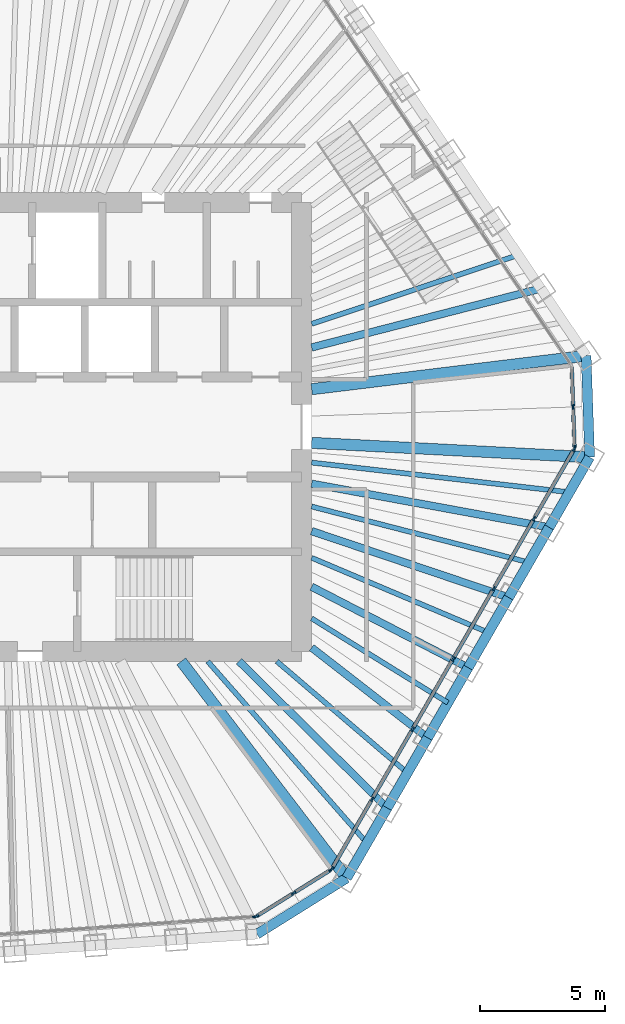
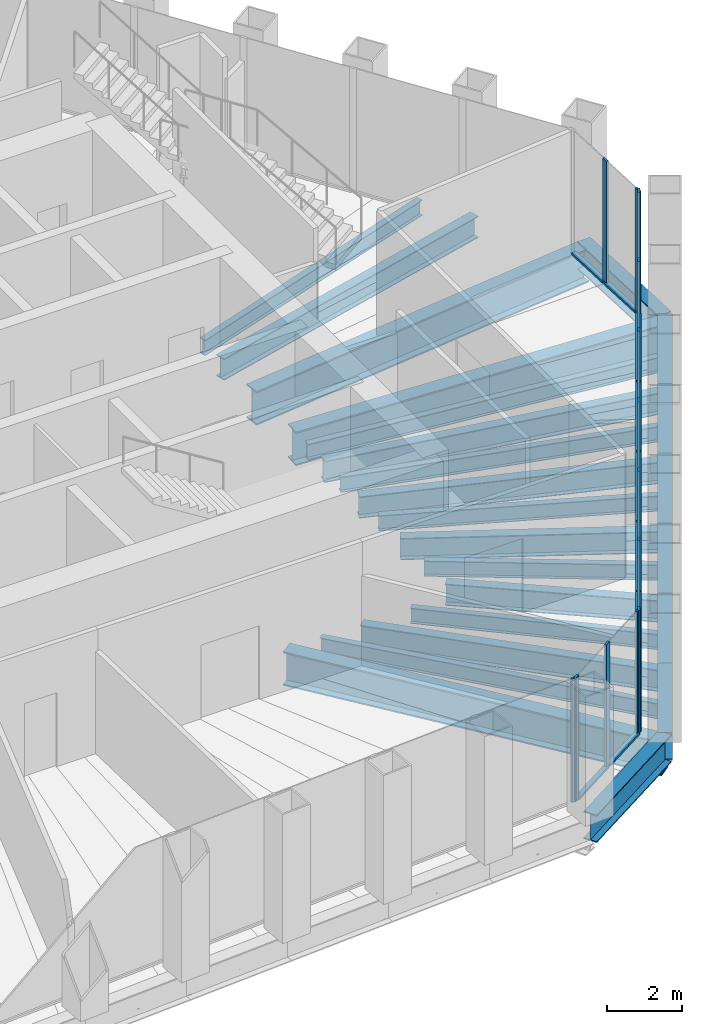
# One storey, part 5 of 14: 24 beams, 23 members, 4 elements without a shape of their own.
"""IFC4 building model written with IfcOpenShell, lengths in metres."""

from ifc_helpers import new_model, si_unit, direction, frame, origin, origin_2d, place, context, subcontext, project, spatial, rectangle, i_section, extrude, material, material_profile, profile_set, type_object, element, aggregate, save


model = new_model("IFC4")

# Units and contexts
model_context = context("Model", 3, precision=1e-05, world=origin(), true_north=direction((0.0, 1.0)))
body_context = subcontext(model_context, "Body", "Model", "MODEL_VIEW")
ifc_project = project(units=[si_unit("LENGTHUNIT", "METRE"), si_unit("AREAUNIT", "SQUARE_METRE"), si_unit("VOLUMEUNIT", "CUBIC_METRE"), si_unit("PLANEANGLEUNIT", "RADIAN"), si_unit("MASSUNIT", "GRAM", prefix="KILO")], contexts=[model_context])

# Site, building, storey
site_placement = place(None, origin())
site = spatial("IfcSite", under=ifc_project, at=site_placement, CompositionType="ELEMENT")
building_placement = place(site_placement, origin())
building = spatial("IfcBuilding", under=site, at=building_placement, Name="Qingtian Harvest Tower", CompositionType="ELEMENT")
storey_placement = place(building_placement, frame((0.0, 0.0, 325.0)))
storey = spatial("IfcBuildingStorey", under=building, at=storey_placement, Name="L72", CompositionType="ELEMENT", Elevation=325.0)

# Beams
ifc_material_1 = material(Name="Steel SM570MC", Category="steel")
ifc_material_profile_1 = material_profile(ifc_material_1, i_section(OverallWidth=0.449951171875, OverallDepth=1.10009765625, WebThickness=0.02197265625, FlangeThickness=0.044921875, at=origin_2d()), Name="H1100x450x22x45")
ifc_profile_set_1 = profile_set([ifc_material_profile_1], Name="Steel SM570MC")
beam_type_1 = type_object("IfcBeamType", Name="Corner floor beam FB8 H1100x450x22x45", PredefinedType="BEAM", material=ifc_profile_set_1)
beam_1_placement = place(storey_placement, frame((23.405517578125, 2.85400390625, -0.719970703125), z_axis=(-0.992647039178, -0.121044849583, 0.0), x_axis=(0.121044849583, -0.992647039178, 0.0)))
element("IfcBeam", 1, at=beam_1_placement, inside=storey, type_object=beam_type_1, Name="Floor beam FB8 NE6", PredefinedType="BEAM", context=body_context, shape_type="SweptSolid", body=[
    extrude(i_section(OverallWidth=0.449951171875, OverallDepth=1.10009765625, WebThickness=0.02197265625, FlangeThickness=0.044921875, at=origin_2d()), origin(), (0.0, 0.0, 1.0), 11.087158203125),
])
beam_2_placement = place(storey_placement, frame((23.547607421875, -1.21435546875, -0.719970703125), z_axis=(-0.998672618964, 0.051507282312, 0.0), x_axis=(-0.051507282312, -0.998672618964, 0.0)))
element("IfcBeam", 2, at=beam_2_placement, inside=storey, type_object=beam_type_1, Name="Floor beam FB8 SE0", PredefinedType="BEAM", context=body_context, shape_type="SweptSolid", body=[
    extrude(i_section(OverallWidth=0.449951171875, OverallDepth=1.10009765625, WebThickness=0.02197265625, FlangeThickness=0.044921875, at=origin_2d()), origin(), (0.0, 0.0, 1.0), 11.16259765625),
])
beam_3_placement = place(storey_placement, frame((13.803466796875, -18.091552734375, -0.719970703125), z_axis=(-0.606571927806, 0.795028613572, 0.0), x_axis=(-0.795028613572, -0.606571927806, 0.0)))
element("IfcBeam", 3, at=beam_3_placement, inside=storey, type_object=beam_type_1, Name="Floor beam FB8 SE6", PredefinedType="BEAM", context=body_context, shape_type="SweptSolid", body=[
    extrude(i_section(OverallWidth=0.449951171875, OverallDepth=1.10009765625, WebThickness=0.02197265625, FlangeThickness=0.044921875, at=origin_2d()), origin(), (0.0, 0.0, 1.0), 10.9326171875),
])
ifc_material_2 = material(Name="Steel SN490B", Category="steel")
ifc_material_profile_2 = material_profile(ifc_material_2, i_section(OverallWidth=0.300048828125, OverallDepth=0.699951171875, WebThickness=0.012939453125, FlangeThickness=0.02392578125, at=origin_2d()), Name="H700x300x13x24")
ifc_profile_set_2 = profile_set([ifc_material_profile_2], Name="Steel SN490B")
beam_type_2 = type_object("IfcBeamType", Name="Floor beam FB4 H700x300x13x24", PredefinedType="BEAM", material=ifc_profile_set_2)
beam_4_placement = place(storey_placement, frame((21.58935546875, 5.546630859375, -0.52001953125), z_axis=(-0.96854787986, -0.248827258189, 0.0), x_axis=(0.248827258189, -0.96854787986, 0.0)))
element("IfcBeam", 4, at=beam_4_placement, inside=storey, type_object=beam_type_2, Name="Floor beam FB4 NE5", PredefinedType="BEAM", context=body_context, shape_type="SweptSolid", body=[
    extrude(i_section(OverallWidth=0.300048828125, OverallDepth=0.699951171875, WebThickness=0.012939453125, FlangeThickness=0.02392578125, at=origin_2d()), origin(), (0.0, 0.0, 1.0), 9.48779296875),
])
beam_5_placement = place(storey_placement, frame((21.923583984375, -4.027099609375, -0.52001953125), z_axis=(-0.983546800525, 0.180653511389, 0.0), x_axis=(-0.180653511389, -0.983546800525, 0.0)))
element("IfcBeam", 5, at=beam_5_placement, inside=storey, type_object=beam_type_2, Name="Floor beam FB4 SE1", PredefinedType="BEAM", context=body_context, shape_type="SweptSolid", body=[
    extrude(i_section(OverallWidth=0.300048828125, OverallDepth=0.699951171875, WebThickness=0.012939453125, FlangeThickness=0.02392578125, at=origin_2d()), origin(), (0.0, 0.0, 1.0), 9.68310546875),
])
beam_6_placement = place(storey_placement, frame((20.299560546875, -6.840087890625, -0.52001953125), z_axis=(-0.947647345861, 0.319318818553, 0.0), x_axis=(-0.319318818553, -0.947647345861, 0.0)))
element("IfcBeam", 6, at=beam_6_placement, inside=storey, type_object=beam_type_2, Name="Floor beam FB4 SE2", PredefinedType="BEAM", context=body_context, shape_type="SweptSolid", body=[
    extrude(i_section(OverallWidth=0.300048828125, OverallDepth=0.699951171875, WebThickness=0.012939453125, FlangeThickness=0.02392578125, at=origin_2d()), origin(), (0.0, 0.0, 1.0), 8.336181640625),
])
beam_7_placement = place(storey_placement, frame((18.675537109375, -9.65283203125, -0.52001953125), z_axis=(-0.888354253651, 0.459158708967, 0.0), x_axis=(-0.459158708967, -0.888354253651, 0.0)))
element("IfcBeam", 7, at=beam_7_placement, inside=storey, type_object=beam_type_2, Name="Floor beam FB4 SE3", PredefinedType="BEAM", context=body_context, shape_type="SweptSolid", body=[
    extrude(i_section(OverallWidth=0.300048828125, OverallDepth=0.699951171875, WebThickness=0.012939453125, FlangeThickness=0.02392578125, at=origin_2d()), origin(), (0.0, 0.0, 1.0), 7.064453125),
])
beam_8_placement = place(storey_placement, frame((17.051513671875, -12.4658203125, -0.52001953125), z_axis=(-0.789532919969, 0.613708211029, 0.0), x_axis=(-0.613708211029, -0.789532919969, 0.0)))
element("IfcBeam", 8, at=beam_8_placement, inside=storey, type_object=beam_type_2, Name="Floor beam FB4 SE4", PredefinedType="BEAM", context=body_context, shape_type="SweptSolid", body=[
    extrude(i_section(OverallWidth=0.300048828125, OverallDepth=0.699951171875, WebThickness=0.012939453125, FlangeThickness=0.02392578125, at=origin_2d()), origin(), (0.0, 0.0, 1.0), 5.8916015625),
])
beam_9_placement = place(storey_placement, frame((15.427490234375, -15.278564453125, -0.52001953125), z_axis=(-0.71051769643, 0.703679332552, 0.0), x_axis=(-0.703679332552, -0.71051769643, 0.0)))
element("IfcBeam", 9, at=beam_9_placement, inside=storey, type_object=beam_type_2, Name="Floor beam FB4 SE5", PredefinedType="BEAM", context=body_context, shape_type="SweptSolid", body=[
    extrude(i_section(OverallWidth=0.300048828125, OverallDepth=0.699951171875, WebThickness=0.012939453125, FlangeThickness=0.02392578125, at=origin_2d()), origin(), (0.0, 0.0, 1.0), 8.354248046875),
])
ifc_material_3 = material(Name="Steel SN490B", Category="steel")
ifc_material_profile_3 = material_profile(ifc_material_3, i_section(OverallWidth=0.199951171875, OverallDepth=0.5, WebThickness=0.010009765625, FlangeThickness=0.01611328125, at=origin_2d()), Name="H500x200x10x16")
ifc_profile_set_3 = profile_set([ifc_material_profile_3], Name="Steel SN490B")
beam_type_3 = type_object("IfcBeamType", Name="Floor joist J3 H500x200x10x16", PredefinedType="JOIST", material=ifc_profile_set_3)
beam_10_placement = place(storey_placement, frame((20.68115234375, 6.89306640625, -0.419921875), z_axis=(-0.948688891587, -0.316210984914, 0.0), x_axis=(0.316210984914, -0.948688891587, 0.0)))
element("IfcBeam", 10, at=beam_10_placement, inside=storey, type_object=beam_type_3, Name="Floor joist J3 NE4", PredefinedType="JOIST", context=body_context, shape_type="SweptSolid", body=[
    extrude(i_section(OverallWidth=0.199951171875, OverallDepth=0.5, WebThickness=0.010009765625, FlangeThickness=0.01611328125, at=origin_2d()), origin(), (0.0, 0.0, 1.0), 8.729248046875),
])
beam_11_placement = place(storey_placement, frame((22.735595703125, -2.62060546875, -0.419921875), z_axis=(-0.993421775836, 0.114512773499, 0.0), x_axis=(-0.114512773499, -0.993421775836, 0.0)))
element("IfcBeam", 11, at=beam_11_placement, inside=storey, type_object=beam_type_3, Name="Floor joist J3 SE0", PredefinedType="JOIST", context=body_context, shape_type="SweptSolid", body=[
    extrude(i_section(OverallWidth=0.199951171875, OverallDepth=0.5, WebThickness=0.010009765625, FlangeThickness=0.01611328125, at=origin_2d()), origin(), (0.0, 0.0, 1.0), 10.404052734375),
])
beam_12_placement = place(storey_placement, frame((21.111572265625, -5.43359375, -0.419921875), z_axis=(-0.968438109541, 0.249254143374, 0.0), x_axis=(-0.249254143374, -0.968438109541, 0.0)))
element("IfcBeam", 12, at=beam_12_placement, inside=storey, type_object=beam_type_3, Name="Floor joist J3 SE1", PredefinedType="JOIST", context=body_context, shape_type="SweptSolid", body=[
    extrude(i_section(OverallWidth=0.199951171875, OverallDepth=0.5, WebThickness=0.010009765625, FlangeThickness=0.01611328125, at=origin_2d()), origin(), (0.0, 0.0, 1.0), 8.99560546875),
])
beam_13_placement = place(storey_placement, frame((19.487548828125, -8.246337890625, -0.419921875), z_axis=(-0.92094842321, 0.389684490052, 0.0), x_axis=(-0.389684490052, -0.92094842321, 0.0)))
element("IfcBeam", 13, at=beam_13_placement, inside=storey, type_object=beam_type_3, Name="Floor joist J3 SE2", PredefinedType="JOIST", context=body_context, shape_type="SweptSolid", body=[
    extrude(i_section(OverallWidth=0.199951171875, OverallDepth=0.5, WebThickness=0.010009765625, FlangeThickness=0.01611328125, at=origin_2d()), origin(), (0.0, 0.0, 1.0), 7.696044921875),
])
beam_14_placement = place(storey_placement, frame((17.863525390625, -11.059326171875, -0.419921875), z_axis=(-0.850242474743, 0.526391236765, 0.0), x_axis=(-0.526391236765, -0.850242474743, 0.0)))
element("IfcBeam", 14, at=beam_14_placement, inside=storey, type_object=beam_type_3, Name="Floor joist J3 SE3", PredefinedType="JOIST", context=body_context, shape_type="SweptSolid", body=[
    extrude(i_section(OverallWidth=0.199951171875, OverallDepth=0.5, WebThickness=0.010009765625, FlangeThickness=0.01611328125, at=origin_2d()), origin(), (0.0, 0.0, 1.0), 6.426025390625),
])
beam_15_placement = place(storey_placement, frame((16.239501953125, -13.8720703125, -0.419921875), z_axis=(-0.760351789284, 0.649511475289, 0.0), x_axis=(-0.649511475289, -0.760351789284, 0.0)))
element("IfcBeam", 15, at=beam_15_placement, inside=storey, type_object=beam_type_3, Name="Floor joist J3 SE4", PredefinedType="JOIST", context=body_context, shape_type="SweptSolid", body=[
    extrude(i_section(OverallWidth=0.199951171875, OverallDepth=0.5, WebThickness=0.010009765625, FlangeThickness=0.01611328125, at=origin_2d()), origin(), (0.0, 0.0, 1.0), 6.885498046875),
])
beam_16_placement = place(storey_placement, frame((14.615478515625, -16.68505859375, -0.419921875), z_axis=(-0.658904284354, 0.75222679031, 0.0), x_axis=(-0.75222679031, -0.658904284354, 0.0)))
element("IfcBeam", 16, at=beam_16_placement, inside=storey, type_object=beam_type_3, Name="Floor joist J3 SE5", PredefinedType="JOIST", context=body_context, shape_type="SweptSolid", body=[
    extrude(i_section(OverallWidth=0.199951171875, OverallDepth=0.5, WebThickness=0.010009765625, FlangeThickness=0.01611328125, at=origin_2d()), origin(), (0.0, 0.0, 1.0), 9.684814453125),
])

# Curtain wall, members
ifc_material_4 = material(Name="Bronze-anodised aluminium curtain wall", Category="aluminium")
curtain_wall_type = type_object("IfcCurtainWallType", Name="Curtain wall CW6 executive floors", PredefinedType="USERDEFINED", material=ifc_material_4)
curtain_wall_1_placement = place(storey_placement, origin())
curtain_wall_1 = element("IfcCurtainWall", 17, at=curtain_wall_1_placement, inside=storey, type_object=curtain_wall_type, Name="Curtain wall CW6 L72 NEC", ObjectType="RECESSED CURTAIN WALL", PredefinedType="USERDEFINED")
ifc_material_5 = material(Name="Bronze-anodised aluminium mullion", Category="aluminium")
ifc_material_profile_4 = material_profile(ifc_material_5, rectangle(XDim=0.06494140625, YDim=0.199951171875, at=origin_2d()), Name="AL 65x200")
ifc_profile_set_4 = profile_set([ifc_material_profile_4], Name="Bronze-anodised aluminium mullion")
member_type_1 = type_object("IfcMemberType", Name="Mullion CWM 65x200", PredefinedType="MULLION", material=ifc_profile_set_4)
member_1_placement = place(storey_placement, frame((22.88330078125, 0.799072265625, 0.0), z_axis=(0.0, 0.0, 1.0), x_axis=(0.999390827019, 0.034899496703, 0.0)))
member_1 = element("IfcMember", 18, at=member_1_placement, type_object=member_type_1, Name="CW6 mullion 2", PredefinedType="MULLION", context=body_context, shape_type="SweptSolid", body=[
    extrude(rectangle(XDim=0.06494140625, YDim=0.199951171875, at=origin_2d()), origin(), (0.0, 0.0, 1.0), 4.030029296875),
])
member_2_placement = place(storey_placement, frame((22.9404296875, -0.831787109375, 0.0), z_axis=(0.0, 0.0, 1.0), x_axis=(0.999390827019, 0.034899496703, 0.0)))
member_2 = element("IfcMember", 19, at=member_2_placement, type_object=member_type_1, Name="CW6 mullion 3", PredefinedType="MULLION", context=body_context, shape_type="SweptSolid", body=[
    extrude(rectangle(XDim=0.06494140625, YDim=0.199951171875, at=origin_2d()), origin(), (0.0, 0.0, 1.0), 4.030029296875),
])

curtain_wall_2_placement = place(storey_placement, origin())
curtain_wall_2 = element("IfcCurtainWall", 20, at=curtain_wall_2_placement, inside=storey, type_object=curtain_wall_type, Name="Curtain wall CW6 L72 SE0-5", ObjectType="RECESSED CURTAIN WALL", PredefinedType="USERDEFINED")
member_3_placement = place(storey_placement, frame((22.92529296875, -0.892333984375, 0.0), z_axis=(0.0, 0.0, 1.0), x_axis=(0.866025403784, -0.5, 0.0)))
member_3 = element("IfcMember", 21, at=member_3_placement, type_object=member_type_1, Name="CW6 mullion 1", PredefinedType="MULLION", context=body_context, shape_type="SweptSolid", body=[
    extrude(rectangle(XDim=0.06494140625, YDim=0.199951171875, at=origin_2d()), origin(), (0.0, 0.0, 1.0), 4.030029296875),
])
member_4_placement = place(storey_placement, frame((21.3173828125, -3.67724609375, 0.0), z_axis=(0.0, 0.0, 1.0), x_axis=(0.866025403784, -0.5, 0.0)))
member_4 = element("IfcMember", 22, at=member_4_placement, type_object=member_type_1, Name="CW6 mullion 2", PredefinedType="MULLION", context=body_context, shape_type="SweptSolid", body=[
    extrude(rectangle(XDim=0.06494140625, YDim=0.199951171875, at=origin_2d()), origin(), (0.0, 0.0, 1.0), 4.030029296875),
])
member_5_placement = place(storey_placement, frame((19.693359375, -6.489990234375, 0.0), z_axis=(0.0, 0.0, 1.0), x_axis=(0.866025403784, -0.5, 0.0)))
member_5 = element("IfcMember", 23, at=member_5_placement, type_object=member_type_1, Name="CW6 mullion 3", PredefinedType="MULLION", context=body_context, shape_type="SweptSolid", body=[
    extrude(rectangle(XDim=0.06494140625, YDim=0.199951171875, at=origin_2d()), origin(), (0.0, 0.0, 1.0), 4.030029296875),
])
member_6_placement = place(storey_placement, frame((18.0693359375, -9.302978515625, 0.0), z_axis=(0.0, 0.0, 1.0), x_axis=(0.866025403784, -0.5, 0.0)))
member_6 = element("IfcMember", 24, at=member_6_placement, type_object=member_type_1, Name="CW6 mullion 4", PredefinedType="MULLION", context=body_context, shape_type="SweptSolid", body=[
    extrude(rectangle(XDim=0.06494140625, YDim=0.199951171875, at=origin_2d()), origin(), (0.0, 0.0, 1.0), 4.030029296875),
])
member_7_placement = place(storey_placement, frame((16.4453125, -12.11572265625, 0.0), z_axis=(0.0, 0.0, 1.0), x_axis=(0.866025403784, -0.5, 0.0)))
member_7 = element("IfcMember", 25, at=member_7_placement, type_object=member_type_1, Name="CW6 mullion 5", PredefinedType="MULLION", context=body_context, shape_type="SweptSolid", body=[
    extrude(rectangle(XDim=0.06494140625, YDim=0.199951171875, at=origin_2d()), origin(), (0.0, 0.0, 1.0), 4.030029296875),
])
member_8_placement = place(storey_placement, frame((14.8212890625, -14.9287109375, 0.0), z_axis=(0.0, 0.0, 1.0), x_axis=(0.866025403784, -0.5, 0.0)))
member_8 = element("IfcMember", 26, at=member_8_placement, type_object=member_type_1, Name="CW6 mullion 6", PredefinedType="MULLION", context=body_context, shape_type="SweptSolid", body=[
    extrude(rectangle(XDim=0.06494140625, YDim=0.199951171875, at=origin_2d()), origin(), (0.0, 0.0, 1.0), 4.030029296875),
])
member_9_placement = place(storey_placement, frame((13.213623046875, -17.71337890625, 0.0), z_axis=(0.0, 0.0, 1.0), x_axis=(0.866025403784, -0.5, 0.0)))
member_9 = element("IfcMember", 27, at=member_9_placement, type_object=member_type_1, Name="CW6 mullion 7", PredefinedType="MULLION", context=body_context, shape_type="SweptSolid", body=[
    extrude(rectangle(XDim=0.06494140625, YDim=0.199951171875, at=origin_2d()), origin(), (0.0, 0.0, 1.0), 4.030029296875),
])

curtain_wall_3_placement = place(storey_placement, origin())
curtain_wall_3 = element("IfcCurtainWall", 28, at=curtain_wall_3_placement, inside=storey, type_object=curtain_wall_type, Name="Curtain wall CW6 L72 SEC", ObjectType="RECESSED CURTAIN WALL", PredefinedType="USERDEFINED")
member_10_placement = place(storey_placement, frame((13.169921875, -17.7587890625, 0.0), z_axis=(0.0, 0.0, 1.0), x_axis=(0.529919264233, -0.848048096156, 0.0)))
member_10 = element("IfcMember", 29, at=member_10_placement, type_object=member_type_1, Name="CW6 mullion 1", PredefinedType="MULLION", context=body_context, shape_type="SweptSolid", body=[
    extrude(rectangle(XDim=0.06494140625, YDim=0.199951171875, at=origin_2d()), origin(), (0.0, 0.0, 1.0), 4.030029296875),
])
member_11_placement = place(storey_placement, frame((11.678955078125, -18.690185546875, 0.0), z_axis=(0.0, 0.0, 1.0), x_axis=(0.529919264233, -0.848048096156, 0.0)))
member_11 = element("IfcMember", 30, at=member_11_placement, type_object=member_type_1, Name="CW6 mullion 2", PredefinedType="MULLION", context=body_context, shape_type="SweptSolid", body=[
    extrude(rectangle(XDim=0.06494140625, YDim=0.199951171875, at=origin_2d()), origin(), (0.0, 0.0, 1.0), 4.030029296875),
])
member_12_placement = place(storey_placement, frame((10.188232421875, -19.621826171875, 0.0), z_axis=(0.0, 0.0, 1.0), x_axis=(0.529919264233, -0.848048096156, 0.0)))
member_12 = element("IfcMember", 31, at=member_12_placement, type_object=member_type_1, Name="CW6 mullion 3", PredefinedType="MULLION", context=body_context, shape_type="SweptSolid", body=[
    extrude(rectangle(XDim=0.06494140625, YDim=0.199951171875, at=origin_2d()), origin(), (0.0, 0.0, 1.0), 4.030029296875),
])

# Curtain wall, member
curtain_wall_4_placement = place(storey_placement, origin())
curtain_wall_4 = element("IfcCurtainWall", 32, at=curtain_wall_4_placement, inside=storey, type_object=curtain_wall_type, Name="Curtain wall CW6 L72 S0-5", ObjectType="RECESSED CURTAIN WALL", PredefinedType="USERDEFINED")
member_13_placement = place(storey_placement, frame((10.128173828125, -19.641357421875, 0.0), z_axis=(0.0, 0.0, 1.0), x_axis=(0.069756473744, -0.99756405026, 0.0)))
member_13 = element("IfcMember", 33, at=member_13_placement, type_object=member_type_1, Name="CW6 mullion 1", PredefinedType="MULLION", context=body_context, shape_type="SweptSolid", body=[
    extrude(rectangle(XDim=0.06494140625, YDim=0.199951171875, at=origin_2d()), origin(), (0.0, 0.0, 1.0), 4.030029296875),
])
aggregate(curtain_wall_4, [member_13])

# Beams
ifc_material_6 = material(Name="Steel SN490B", Category="steel")
ifc_material_profile_5 = material_profile(ifc_material_6, i_section(OverallWidth=0.39990234375, OverallDepth=0.89990234375, WebThickness=0.01904296875, FlangeThickness=0.035888671875, at=origin_2d()), Name="H900x400x19x36")
ifc_profile_set_5 = profile_set([ifc_material_profile_5], Name="Steel SN490B")
beam_type_4 = type_object("IfcBeamType", Name="Spandrel beam SB4 H900x400x19x36", PredefinedType="SPANDREL", material=ifc_profile_set_5)
beam_17_placement = place(storey_placement, frame((23.405517578125, 2.85400390625, -0.449951171875), z_axis=(0.034904306503, -0.999390659046, 0.0), x_axis=(0.999390659046, 0.034904306503, 0.0)))
element("IfcBeam", 34, at=beam_17_placement, inside=storey, type_object=beam_type_4, Name="Spandrel SB4 NEC", PredefinedType="SPANDREL", context=body_context, shape_type="SweptSolid", body=[
    extrude(i_section(OverallWidth=0.39990234375, OverallDepth=0.89990234375, WebThickness=0.01904296875, FlangeThickness=0.035888671875, at=origin_2d()), origin(), (0.0, 0.0, 1.0), 4.07080078125),
])
beam_18_placement = place(storey_placement, frame((23.547607421875, -1.21435546875, -0.449951171875), z_axis=(-0.500019593356, -0.866014091259, 0.0), x_axis=(0.866014091259, -0.500019593356, 0.0)))
element("IfcBeam", 35, at=beam_18_placement, inside=storey, type_object=beam_type_4, Name="Spandrel SB4 SE0", PredefinedType="SPANDREL", context=body_context, shape_type="SweptSolid", body=[
    extrude(i_section(OverallWidth=0.39990234375, OverallDepth=0.89990234375, WebThickness=0.01904296875, FlangeThickness=0.035888671875, at=origin_2d()), origin(), (0.0, 0.0, 1.0), 3.247802734375),
])
beam_19_placement = place(storey_placement, frame((21.923583984375, -4.027099609375, -0.449951171875), z_axis=(-0.499987045439, -0.866032882975, 0.0), x_axis=(0.866032882975, -0.499987045439, 0.0)))
element("IfcBeam", 36, at=beam_19_placement, inside=storey, type_object=beam_type_4, Name="Spandrel SB4 SE1", PredefinedType="SPANDREL", context=body_context, shape_type="SweptSolid", body=[
    extrude(i_section(OverallWidth=0.39990234375, OverallDepth=0.89990234375, WebThickness=0.01904296875, FlangeThickness=0.035888671875, at=origin_2d()), origin(), (0.0, 0.0, 1.0), 3.248046875),
])
beam_20_placement = place(storey_placement, frame((20.299560546875, -6.840087890625, -0.449951171875), z_axis=(-0.500019593356, -0.866014091259, 0.0), x_axis=(0.866014091259, -0.500019593356, 0.0)))
element("IfcBeam", 37, at=beam_20_placement, inside=storey, type_object=beam_type_4, Name="Spandrel SB4 SE2", PredefinedType="SPANDREL", context=body_context, shape_type="SweptSolid", body=[
    extrude(i_section(OverallWidth=0.39990234375, OverallDepth=0.89990234375, WebThickness=0.01904296875, FlangeThickness=0.035888671875, at=origin_2d()), origin(), (0.0, 0.0, 1.0), 3.247802734375),
])
beam_21_placement = place(storey_placement, frame((18.675537109375, -9.65283203125, -0.449951171875), z_axis=(-0.499987045439, -0.866032882975, 0.0), x_axis=(0.866032882975, -0.499987045439, 0.0)))
element("IfcBeam", 38, at=beam_21_placement, inside=storey, type_object=beam_type_4, Name="Spandrel SB4 SE3", PredefinedType="SPANDREL", context=body_context, shape_type="SweptSolid", body=[
    extrude(i_section(OverallWidth=0.39990234375, OverallDepth=0.89990234375, WebThickness=0.01904296875, FlangeThickness=0.035888671875, at=origin_2d()), origin(), (0.0, 0.0, 1.0), 3.248046875),
])
beam_22_placement = place(storey_placement, frame((17.051513671875, -12.4658203125, -0.449951171875), z_axis=(-0.500019593356, -0.866014091259, 0.0), x_axis=(0.866014091259, -0.500019593356, 0.0)))
element("IfcBeam", 39, at=beam_22_placement, inside=storey, type_object=beam_type_4, Name="Spandrel SB4 SE4", PredefinedType="SPANDREL", context=body_context, shape_type="SweptSolid", body=[
    extrude(i_section(OverallWidth=0.39990234375, OverallDepth=0.89990234375, WebThickness=0.01904296875, FlangeThickness=0.035888671875, at=origin_2d()), origin(), (0.0, 0.0, 1.0), 3.247802734375),
])
beam_23_placement = place(storey_placement, frame((15.427490234375, -15.278564453125, -0.449951171875), z_axis=(-0.499987045439, -0.866032882975, 0.0), x_axis=(0.866032882975, -0.499987045439, 0.0)))
element("IfcBeam", 40, at=beam_23_placement, inside=storey, type_object=beam_type_4, Name="Spandrel SB4 SE5", PredefinedType="SPANDREL", context=body_context, shape_type="SweptSolid", body=[
    extrude(i_section(OverallWidth=0.39990234375, OverallDepth=0.89990234375, WebThickness=0.01904296875, FlangeThickness=0.035888671875, at=origin_2d()), origin(), (0.0, 0.0, 1.0), 3.248046875),
])
beam_24_placement = place(storey_placement, frame((13.803466796875, -18.091552734375, -0.449951171875), z_axis=(-0.848040374245, -0.529931621675, 0.0), x_axis=(0.529931621675, -0.848040374245, 0.0)))
element("IfcBeam", 41, at=beam_24_placement, inside=storey, type_object=beam_type_4, Name="Spandrel SB4 SEC", PredefinedType="SPANDREL", context=body_context, shape_type="SweptSolid", body=[
    extrude(i_section(OverallWidth=0.39990234375, OverallDepth=0.89990234375, WebThickness=0.01904296875, FlangeThickness=0.035888671875, at=origin_2d()), origin(), (0.0, 0.0, 1.0), 4.238037109375),
])

# Member
ifc_material_7 = material(Name="Bronze-anodised aluminium transom", Category="aluminium")
ifc_material_profile_6 = material_profile(ifc_material_7, rectangle(XDim=0.14990234375, YDim=0.06494140625, at=origin_2d()), Name="AL 65x150")
ifc_profile_set_6 = profile_set([ifc_material_profile_6], Name="Bronze-anodised aluminium transom")
member_type_2 = type_object("IfcMemberType", Name="Transom CWT 65x150", PredefinedType="USERDEFINED", material=ifc_profile_set_6)
member_14_placement = place(storey_placement, frame((22.82763671875, 2.3974609375, 0.032470703125), z_axis=(0.034902326647, -0.999390728191, 0.0), x_axis=(0.999390728191, 0.034902326647, 0.0)))
member_14 = element("IfcMember", 42, at=member_14_placement, type_object=member_type_2, Name="CW6 transom 1.1", ObjectType="TRANSOM", PredefinedType="USERDEFINED", context=body_context, shape_type="SweptSolid", body=[
    extrude(rectangle(XDim=0.14990234375, YDim=0.06494140625, at=origin_2d()), origin(), (0.0, 0.0, 1.0), 1.56689453125),
])

member_15_placement = place(storey_placement, frame((22.884521484375, 0.7666015625, 0.032470703125), z_axis=(0.034902326647, -0.999390728191, 0.0), x_axis=(0.999390728191, 0.034902326647, 0.0)))
member_15 = element("IfcMember", 43, at=member_15_placement, type_object=member_type_2, Name="CW6 transom 2.1", ObjectType="TRANSOM", PredefinedType="USERDEFINED", context=body_context, shape_type="SweptSolid", body=[
    extrude(rectangle(XDim=0.14990234375, YDim=0.06494140625, at=origin_2d()), origin(), (0.0, 0.0, 1.0), 1.56689453125),
])

aggregate(curtain_wall_1, [member_1, member_2, member_14, member_15])

member_16_placement = place(storey_placement, frame((22.908935546875, -0.920654296875, 0.032470703125), z_axis=(-0.50000643655, -0.866021687608, 0.0), x_axis=(0.866021687608, -0.50000643655, 0.0)))
member_16 = element("IfcMember", 44, at=member_16_placement, type_object=member_type_2, Name="CW6 transom 1.1", ObjectType="TRANSOM", PredefinedType="USERDEFINED", context=body_context, shape_type="SweptSolid", body=[
    extrude(rectangle(XDim=0.14990234375, YDim=0.06494140625, at=origin_2d()), origin(), (0.0, 0.0, 1.0), 3.150390625),
])

member_17_placement = place(storey_placement, frame((21.30126953125, -3.705322265625, 0.032470703125), z_axis=(-0.5000079448, -0.866020816803, 0.0), x_axis=(0.866020816803, -0.5000079448, 0.0)))
member_17 = element("IfcMember", 45, at=member_17_placement, type_object=member_type_2, Name="CW6 transom 2.1", ObjectType="TRANSOM", PredefinedType="USERDEFINED", context=body_context, shape_type="SweptSolid", body=[
    extrude(rectangle(XDim=0.14990234375, YDim=0.06494140625, at=origin_2d()), origin(), (0.0, 0.0, 1.0), 3.18310546875),
])

member_18_placement = place(storey_placement, frame((19.67724609375, -6.51806640625, 0.032470703125), z_axis=(-0.5000079448, -0.866020816803, 0.0), x_axis=(0.866020816803, -0.5000079448, 0.0)))
member_18 = element("IfcMember", 46, at=member_18_placement, type_object=member_type_2, Name="CW6 transom 3.1", ObjectType="TRANSOM", PredefinedType="USERDEFINED", context=body_context, shape_type="SweptSolid", body=[
    extrude(rectangle(XDim=0.14990234375, YDim=0.06494140625, at=origin_2d()), origin(), (0.0, 0.0, 1.0), 3.18310546875),
])

member_19_placement = place(storey_placement, frame((18.05322265625, -9.3310546875, 0.032470703125), z_axis=(-0.5000079448, -0.866020816803, 0.0), x_axis=(0.866020816803, -0.5000079448, 0.0)))
member_19 = element("IfcMember", 47, at=member_19_placement, type_object=member_type_2, Name="CW6 transom 4.1", ObjectType="TRANSOM", PredefinedType="USERDEFINED", context=body_context, shape_type="SweptSolid", body=[
    extrude(rectangle(XDim=0.14990234375, YDim=0.06494140625, at=origin_2d()), origin(), (0.0, 0.0, 1.0), 3.18310546875),
])

member_20_placement = place(storey_placement, frame((16.42919921875, -12.143798828125, 0.032470703125), z_axis=(-0.5000079448, -0.866020816803, 0.0), x_axis=(0.866020816803, -0.5000079448, 0.0)))
member_20 = element("IfcMember", 48, at=member_20_placement, type_object=member_type_2, Name="CW6 transom 5.1", ObjectType="TRANSOM", PredefinedType="USERDEFINED", context=body_context, shape_type="SweptSolid", body=[
    extrude(rectangle(XDim=0.14990234375, YDim=0.06494140625, at=origin_2d()), origin(), (0.0, 0.0, 1.0), 3.18310546875),
])

member_21_placement = place(storey_placement, frame((14.80517578125, -14.956787109375, 0.032470703125), z_axis=(-0.499972881236, -0.866041060244, 0.0), x_axis=(0.866041060244, -0.499972881236, 0.0)))
member_21 = element("IfcMember", 49, at=member_21_placement, type_object=member_type_2, Name="CW6 transom 6.1", ObjectType="TRANSOM", PredefinedType="USERDEFINED", context=body_context, shape_type="SweptSolid", body=[
    extrude(rectangle(XDim=0.14990234375, YDim=0.06494140625, at=origin_2d()), origin(), (0.0, 0.0, 1.0), 3.150634765625),
])

aggregate(curtain_wall_2, [member_3, member_4, member_5, member_6, member_7, member_8, member_9, member_16, member_17, member_18, member_19, member_20, member_21])

member_22_placement = place(storey_placement, frame((13.142333984375, -17.77587890625, 0.032470703125), z_axis=(-0.84803880708, -0.529934129573, 0.0), x_axis=(0.529934129573, -0.84803880708, 0.0)))
member_22 = element("IfcMember", 50, at=member_22_placement, type_object=member_type_2, Name="CW6 transom 1.1", ObjectType="TRANSOM", PredefinedType="USERDEFINED", context=body_context, shape_type="SweptSolid", body=[
    extrude(rectangle(XDim=0.14990234375, YDim=0.06494140625, at=origin_2d()), origin(), (0.0, 0.0, 1.0), 1.693115234375),
])

member_23_placement = place(storey_placement, frame((11.6513671875, -18.70751953125, 0.032470703125), z_axis=(-0.847998304005, -0.529998940003, 0.0), x_axis=(0.529998940003, -0.847998304005, 0.0)))
member_23 = element("IfcMember", 51, at=member_23_placement, type_object=member_type_2, Name="CW6 transom 2.1", ObjectType="TRANSOM", PredefinedType="USERDEFINED", context=body_context, shape_type="SweptSolid", body=[
    extrude(rectangle(XDim=0.14990234375, YDim=0.06494140625, at=origin_2d()), origin(), (0.0, 0.0, 1.0), 1.69287109375),
])

aggregate(curtain_wall_3, [member_10, member_11, member_12, member_22, member_23])

save(model, "model.ifc")
